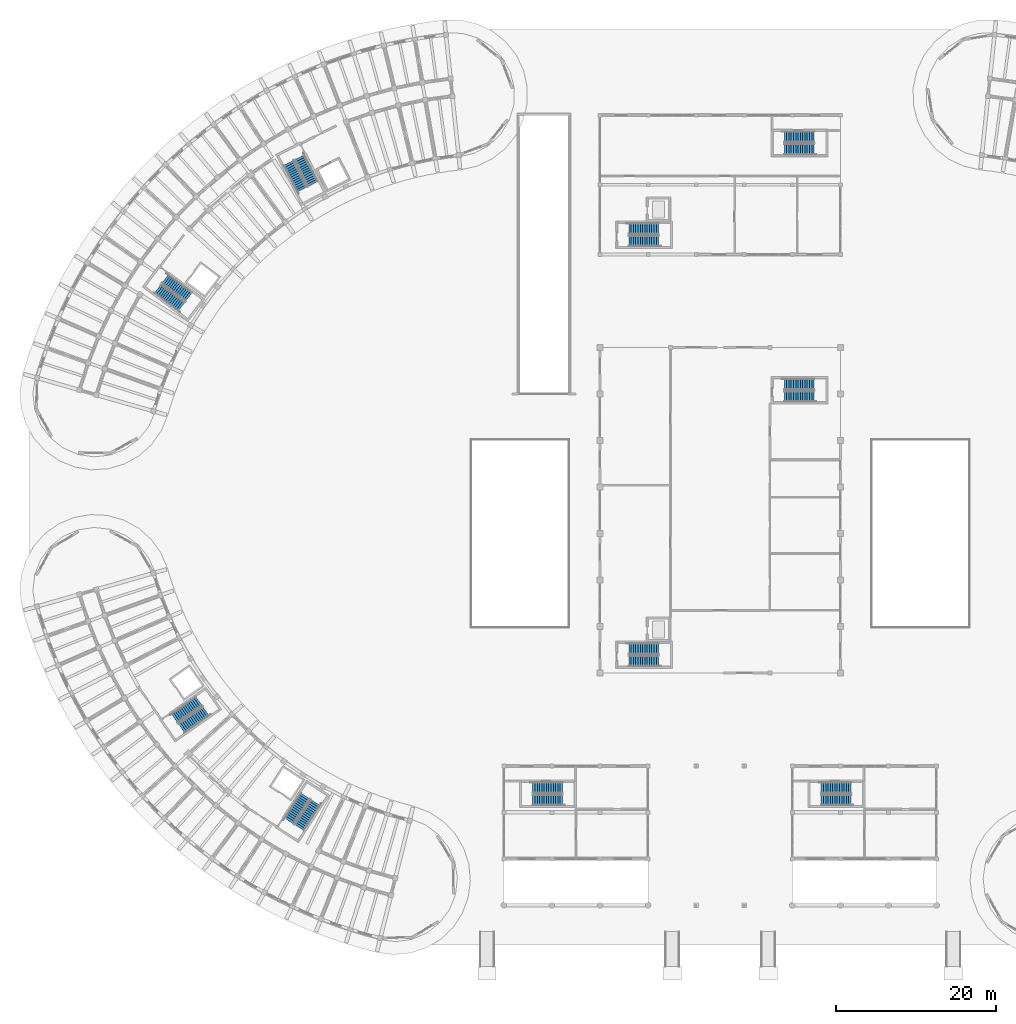
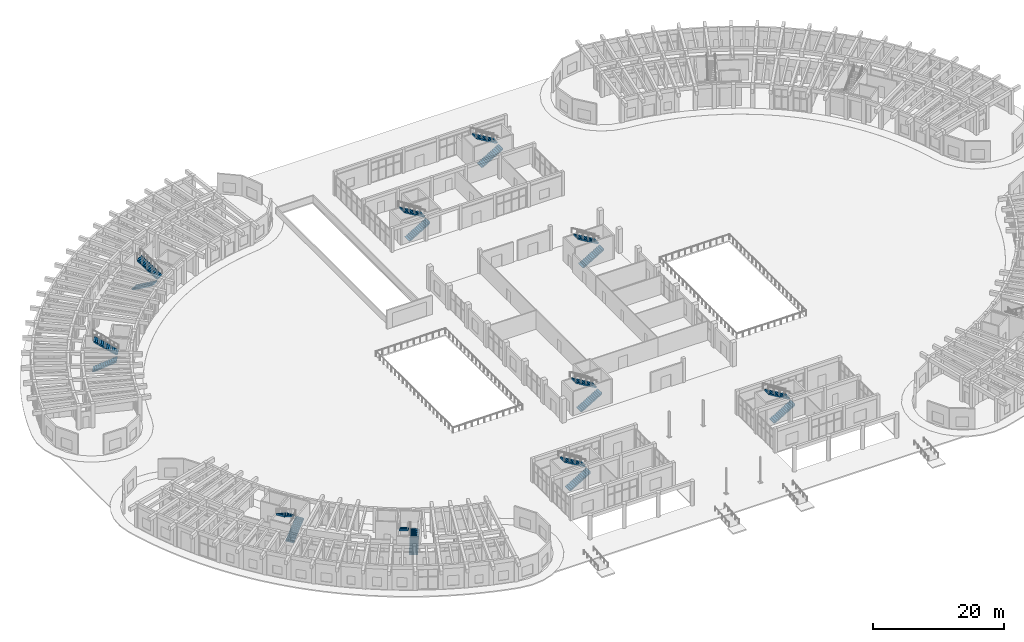
# One storey, part 109 of 132: 20 stair flights, 10 elements without a shape of their own.
"""IFC4 building model written with IfcOpenShell, lengths in metres."""

from ifc_helpers import new_model, si_unit, direction, frame, origin, place, context, subcontext, project, spatial, polyline, outline, extrude, material, layer, layer_set, type_object, element, aggregate, save


model = new_model("IFC4")

# Units and contexts
model_context = context("Model", 3, precision=1e-05, world=origin(), true_north=direction((0.0, 1.0)))
body_context = subcontext(model_context, "Body", "Model", "MODEL_VIEW")
ifc_project = project(units=[si_unit("LENGTHUNIT", "METRE"), si_unit("AREAUNIT", "SQUARE_METRE"), si_unit("VOLUMEUNIT", "CUBIC_METRE"), si_unit("PLANEANGLEUNIT", "RADIAN"), si_unit("MASSUNIT", "GRAM", prefix="KILO")], contexts=[model_context])

# Site, building, storey
site_placement = place(None, origin())
site = spatial("IfcSite", under=ifc_project, at=site_placement, CompositionType="ELEMENT")
building_placement = place(site_placement, origin())
building = spatial("IfcBuilding", under=site, at=building_placement, Name="Tanwirah Colonnade Gardens", CompositionType="ELEMENT")
storey_placement = place(building_placement, origin())
storey = spatial("IfcBuildingStorey", under=building, at=storey_placement, Name="L00", CompositionType="ELEMENT", Elevation=0.0)

# Stair, stair flights
ifc_material = material(Name="Precast concrete C40/50", Category="concrete")
stair_type_1 = type_object("IfcStairType", Name="ST-PAV170", PredefinedType="HALF_TURN_STAIR", material=ifc_material)
stair_1_placement = place(storey_placement, origin())
stair_1 = element("IfcStair", 1, at=stair_1_placement, inside=storey, type_object=stair_type_1, Name="L00 Community Hall SW Exit Stair", PredefinedType="HALF_TURN_STAIR")
ifc_layer_1 = layer(ifc_material, 0.159912109375)
ifc_layer_set_1 = layer_set([ifc_layer_1], Name="Precast concrete C40/50")
stair_flight_type_1 = type_object("IfcStairFlightType", Name="FLT-PAV160", PredefinedType="STRAIGHT", material=ifc_layer_set_1)
stair_flight_1_placement = place(storey_placement, frame((81.60009765625, 41.2900390625, 0.0), z_axis=(0.0, 0.0, 1.0), x_axis=(1.0, 0.0, 0.0)))
stair_flight_1 = element("IfcStairFlight", 2, at=stair_flight_1_placement, type_object=stair_flight_type_1, Name="ST-H1 flight 1", NumberOfRisers=14, NumberOfTreads=13, PredefinedType="STRAIGHT", RiserHeight=0.17, TreadLength=0.285, context=body_context, shape_type="SweptSolid", body=[
    extrude(outline(polyline([(-0.0048828125, 0.0), (0.0, 0.169921875), (0.284912109375, 0.169921875), (0.284912109375, 0.340087890625), (0.570068359375, 0.340087890625), (0.570068359375, 0.510009765625), (0.85498046875, 0.510009765625), (0.85498046875, 0.679931640625), (1.139892578125, 0.679931640625), (1.139892578125, 0.85009765625), (1.425048828125, 0.85009765625), (1.425048828125, 1.02001953125), (1.7099609375, 1.02001953125), (1.7099609375, 1.18994140625), (1.9951171875, 1.18994140625), (1.9951171875, 1.360107421875), (2.280029296875, 1.360107421875), (2.280029296875, 1.530029296875), (2.56494140625, 1.530029296875), (2.56494140625, 1.699951171875), (2.85009765625, 1.699951171875), (2.85009765625, 1.8701171875), (3.135009765625, 1.8701171875), (3.135009765625, 2.0400390625), (3.419921875, 2.0400390625), (3.419921875, 2.2099609375), (3.705078125, 2.2099609375), (3.7099609375, 2.3798828125), (3.7099609375, 2.023681640625), (0.317138671875, 0.0), (-0.0048828125, 0.0)])), frame((0.0, 0.68994140625, 0.0), z_axis=(0.0, -1.0, 0.0), x_axis=(1.0, 0.0, 0.0)), (0.0, 0.0, 1.0), 1.3798828125),
])
stair_flight_2_placement = place(storey_placement, frame((85.304931640625, 42.830078125, 2.3798828125), z_axis=(0.0, 0.0, 1.0), x_axis=(-1.0, 0.0, 0.0)))
stair_flight_2 = element("IfcStairFlight", 3, at=stair_flight_2_placement, type_object=stair_flight_type_1, Name="ST-H1 flight 2", NumberOfRisers=14, NumberOfTreads=13, PredefinedType="STRAIGHT", RiserHeight=0.17, TreadLength=0.285, context=body_context, shape_type="SweptSolid", body=[
    extrude(outline(polyline([(-0.0048828125, 0.0), (0.0, 0.169921875), (0.284912109375, 0.169921875), (0.284912109375, 0.340087890625), (0.570068359375, 0.340087890625), (0.570068359375, 0.510009765625), (0.85498046875, 0.510009765625), (0.85498046875, 0.679931640625), (1.139892578125, 0.679931640625), (1.139892578125, 0.85009765625), (1.425048828125, 0.85009765625), (1.425048828125, 1.02001953125), (1.7099609375, 1.02001953125), (1.7099609375, 1.18994140625), (1.9951171875, 1.18994140625), (1.9951171875, 1.360107421875), (2.280029296875, 1.360107421875), (2.280029296875, 1.530029296875), (2.56494140625, 1.530029296875), (2.56494140625, 1.699951171875), (2.85009765625, 1.699951171875), (2.85009765625, 1.8701171875), (3.135009765625, 1.8701171875), (3.135009765625, 2.0400390625), (3.419921875, 2.0400390625), (3.419921875, 2.2099609375), (3.705078125, 2.2099609375), (3.7099609375, 2.3798828125), (3.7099609375, 2.023681640625), (0.317138671875, 0.0), (-0.0048828125, 0.0)])), frame((0.0, 0.68994140625, 0.0), z_axis=(0.0, -1.0, 0.0), x_axis=(1.0, 0.0, 0.0)), (0.0, 0.0, 1.0), 1.3798828125),
])
aggregate(stair_1, [stair_flight_1, stair_flight_2])

stair_2_placement = place(storey_placement, origin())
stair_2 = element("IfcStair", 4, at=stair_2_placement, inside=storey, type_object=stair_type_1, Name="L00 Community Hall NE Exit Stair", PredefinedType="HALF_TURN_STAIR")
stair_flight_3_placement = place(storey_placement, frame((101.0, 74.2900390625, 0.0), z_axis=(0.0, 0.0, 1.0), x_axis=(1.0, 0.0, 0.0)))
stair_flight_3 = element("IfcStairFlight", 5, at=stair_flight_3_placement, type_object=stair_flight_type_1, Name="ST-H2 flight 1", NumberOfRisers=14, NumberOfTreads=13, PredefinedType="STRAIGHT", RiserHeight=0.17, TreadLength=0.285, context=body_context, shape_type="SweptSolid", body=[
    extrude(outline(polyline([(-0.0048828125, 0.0), (0.0, 0.169921875), (0.284912109375, 0.169921875), (0.284912109375, 0.340087890625), (0.570068359375, 0.340087890625), (0.570068359375, 0.510009765625), (0.85498046875, 0.510009765625), (0.85498046875, 0.679931640625), (1.139892578125, 0.679931640625), (1.139892578125, 0.85009765625), (1.425048828125, 0.85009765625), (1.425048828125, 1.02001953125), (1.7099609375, 1.02001953125), (1.7099609375, 1.18994140625), (1.9951171875, 1.18994140625), (1.9951171875, 1.360107421875), (2.280029296875, 1.360107421875), (2.280029296875, 1.530029296875), (2.56494140625, 1.530029296875), (2.56494140625, 1.699951171875), (2.85009765625, 1.699951171875), (2.85009765625, 1.8701171875), (3.135009765625, 1.8701171875), (3.135009765625, 2.0400390625), (3.419921875, 2.0400390625), (3.419921875, 2.2099609375), (3.705078125, 2.2099609375), (3.7099609375, 2.3798828125), (3.7099609375, 2.023681640625), (0.317138671875, 0.0), (-0.0048828125, 0.0)])), frame((0.0, 0.68994140625, 0.0), z_axis=(0.0, -1.0, 0.0), x_axis=(1.0, 0.0, 0.0)), (0.0, 0.0, 1.0), 1.3798828125),
])
stair_flight_4_placement = place(storey_placement, frame((104.705078125, 75.830078125, 2.3798828125), z_axis=(0.0, 0.0, 1.0), x_axis=(-1.0, 0.0, 0.0)))
stair_flight_4 = element("IfcStairFlight", 6, at=stair_flight_4_placement, type_object=stair_flight_type_1, Name="ST-H2 flight 2", NumberOfRisers=14, NumberOfTreads=13, PredefinedType="STRAIGHT", RiserHeight=0.17, TreadLength=0.285, context=body_context, shape_type="SweptSolid", body=[
    extrude(outline(polyline([(-0.0048828125, 0.0), (0.0, 0.169921875), (0.284912109375, 0.169921875), (0.284912109375, 0.340087890625), (0.570068359375, 0.340087890625), (0.570068359375, 0.510009765625), (0.85498046875, 0.510009765625), (0.85498046875, 0.679931640625), (1.139892578125, 0.679931640625), (1.139892578125, 0.85009765625), (1.425048828125, 0.85009765625), (1.425048828125, 1.02001953125), (1.7099609375, 1.02001953125), (1.7099609375, 1.18994140625), (1.9951171875, 1.18994140625), (1.9951171875, 1.360107421875), (2.280029296875, 1.360107421875), (2.280029296875, 1.530029296875), (2.56494140625, 1.530029296875), (2.56494140625, 1.699951171875), (2.85009765625, 1.699951171875), (2.85009765625, 1.8701171875), (3.135009765625, 1.8701171875), (3.135009765625, 2.0400390625), (3.419921875, 2.0400390625), (3.419921875, 2.2099609375), (3.705078125, 2.2099609375), (3.7099609375, 2.3798828125), (3.7099609375, 2.023681640625), (0.317138671875, 0.0), (-0.0048828125, 0.0)])), frame((0.0, 0.68994140625, 0.0), z_axis=(0.0, -1.0, 0.0), x_axis=(1.0, 0.0, 0.0)), (0.0, 0.0, 1.0), 1.3798828125),
])
aggregate(stair_2, [stair_flight_3, stair_flight_4])

stair_3_placement = place(storey_placement, origin())
stair_3 = element("IfcStair", 7, at=stair_3_placement, inside=storey, type_object=stair_type_1, Name="L00 Nursery Pavilion West Exit Stair", PredefinedType="HALF_TURN_STAIR")
stair_flight_5_placement = place(storey_placement, frame((81.60009765625, 93.68994140625, 0.0), z_axis=(0.0, 0.0, 1.0), x_axis=(1.0, 0.0, 0.0)))
stair_flight_5 = element("IfcStairFlight", 8, at=stair_flight_5_placement, type_object=stair_flight_type_1, Name="ST-N1 flight 1", NumberOfRisers=14, NumberOfTreads=13, PredefinedType="STRAIGHT", RiserHeight=0.17, TreadLength=0.285, context=body_context, shape_type="SweptSolid", body=[
    extrude(outline(polyline([(-0.0048828125, 0.0), (0.0, 0.169921875), (0.284912109375, 0.169921875), (0.284912109375, 0.340087890625), (0.570068359375, 0.340087890625), (0.570068359375, 0.510009765625), (0.85498046875, 0.510009765625), (0.85498046875, 0.679931640625), (1.139892578125, 0.679931640625), (1.139892578125, 0.85009765625), (1.425048828125, 0.85009765625), (1.425048828125, 1.02001953125), (1.7099609375, 1.02001953125), (1.7099609375, 1.18994140625), (1.9951171875, 1.18994140625), (1.9951171875, 1.360107421875), (2.280029296875, 1.360107421875), (2.280029296875, 1.530029296875), (2.56494140625, 1.530029296875), (2.56494140625, 1.699951171875), (2.85009765625, 1.699951171875), (2.85009765625, 1.8701171875), (3.135009765625, 1.8701171875), (3.135009765625, 2.0400390625), (3.419921875, 2.0400390625), (3.419921875, 2.2099609375), (3.705078125, 2.2099609375), (3.7099609375, 2.3798828125), (3.7099609375, 2.023681640625), (0.317138671875, 0.0), (-0.0048828125, 0.0)])), frame((0.0, 0.68994140625, 0.0), z_axis=(0.0, -1.0, 0.0), x_axis=(1.0, 0.0, 0.0)), (0.0, 0.0, 1.0), 1.3798828125),
])
stair_flight_6_placement = place(storey_placement, frame((85.304931640625, 95.22998046875, 2.3798828125), z_axis=(0.0, 0.0, 1.0), x_axis=(-1.0, 0.0, 0.0)))
stair_flight_6 = element("IfcStairFlight", 9, at=stair_flight_6_placement, type_object=stair_flight_type_1, Name="ST-N1 flight 2", NumberOfRisers=14, NumberOfTreads=13, PredefinedType="STRAIGHT", RiserHeight=0.17, TreadLength=0.285, context=body_context, shape_type="SweptSolid", body=[
    extrude(outline(polyline([(-0.0048828125, 0.0), (0.0, 0.169921875), (0.284912109375, 0.169921875), (0.284912109375, 0.340087890625), (0.570068359375, 0.340087890625), (0.570068359375, 0.510009765625), (0.85498046875, 0.510009765625), (0.85498046875, 0.679931640625), (1.139892578125, 0.679931640625), (1.139892578125, 0.85009765625), (1.425048828125, 0.85009765625), (1.425048828125, 1.02001953125), (1.7099609375, 1.02001953125), (1.7099609375, 1.18994140625), (1.9951171875, 1.18994140625), (1.9951171875, 1.360107421875), (2.280029296875, 1.360107421875), (2.280029296875, 1.530029296875), (2.56494140625, 1.530029296875), (2.56494140625, 1.699951171875), (2.85009765625, 1.699951171875), (2.85009765625, 1.8701171875), (3.135009765625, 1.8701171875), (3.135009765625, 2.0400390625), (3.419921875, 2.0400390625), (3.419921875, 2.2099609375), (3.705078125, 2.2099609375), (3.7099609375, 2.3798828125), (3.7099609375, 2.023681640625), (0.317138671875, 0.0), (-0.0048828125, 0.0)])), frame((0.0, 0.68994140625, 0.0), z_axis=(0.0, -1.0, 0.0), x_axis=(1.0, 0.0, 0.0)), (0.0, 0.0, 1.0), 1.3798828125),
])
aggregate(stair_3, [stair_flight_5, stair_flight_6])

stair_4_placement = place(storey_placement, origin())
stair_4 = element("IfcStair", 10, at=stair_4_placement, inside=storey, type_object=stair_type_1, Name="L00 Nursery Pavilion East Exit Stair", PredefinedType="HALF_TURN_STAIR")
stair_flight_7_placement = place(storey_placement, frame((101.0, 105.139892578125, 0.0), z_axis=(0.0, 0.0, 1.0), x_axis=(1.0, 0.0, 0.0)))
stair_flight_7 = element("IfcStairFlight", 11, at=stair_flight_7_placement, type_object=stair_flight_type_1, Name="ST-N2 flight 1", NumberOfRisers=14, NumberOfTreads=13, PredefinedType="STRAIGHT", RiserHeight=0.17, TreadLength=0.285, context=body_context, shape_type="SweptSolid", body=[
    extrude(outline(polyline([(-0.0048828125, 0.0), (0.0, 0.169921875), (0.284912109375, 0.169921875), (0.284912109375, 0.340087890625), (0.570068359375, 0.340087890625), (0.570068359375, 0.510009765625), (0.85498046875, 0.510009765625), (0.85498046875, 0.679931640625), (1.139892578125, 0.679931640625), (1.139892578125, 0.85009765625), (1.425048828125, 0.85009765625), (1.425048828125, 1.02001953125), (1.7099609375, 1.02001953125), (1.7099609375, 1.18994140625), (1.9951171875, 1.18994140625), (1.9951171875, 1.360107421875), (2.280029296875, 1.360107421875), (2.280029296875, 1.530029296875), (2.56494140625, 1.530029296875), (2.56494140625, 1.699951171875), (2.85009765625, 1.699951171875), (2.85009765625, 1.8701171875), (3.135009765625, 1.8701171875), (3.135009765625, 2.0400390625), (3.419921875, 2.0400390625), (3.419921875, 2.2099609375), (3.705078125, 2.2099609375), (3.7099609375, 2.3798828125), (3.7099609375, 2.023681640625), (0.317138671875, 0.0), (-0.0048828125, 0.0)])), frame((0.0, 0.68994140625, 0.0), z_axis=(0.0, -1.0, 0.0), x_axis=(1.0, 0.0, 0.0)), (0.0, 0.0, 1.0), 1.3798828125),
])
stair_flight_8_placement = place(storey_placement, frame((104.705078125, 106.679931640625, 2.3798828125), z_axis=(0.0, 0.0, 1.0), x_axis=(-1.0, 0.0, 0.0)))
stair_flight_8 = element("IfcStairFlight", 12, at=stair_flight_8_placement, type_object=stair_flight_type_1, Name="ST-N2 flight 2", NumberOfRisers=14, NumberOfTreads=13, PredefinedType="STRAIGHT", RiserHeight=0.17, TreadLength=0.285, context=body_context, shape_type="SweptSolid", body=[
    extrude(outline(polyline([(-0.0048828125, 0.0), (0.0, 0.169921875), (0.284912109375, 0.169921875), (0.284912109375, 0.340087890625), (0.570068359375, 0.340087890625), (0.570068359375, 0.510009765625), (0.85498046875, 0.510009765625), (0.85498046875, 0.679931640625), (1.139892578125, 0.679931640625), (1.139892578125, 0.85009765625), (1.425048828125, 0.85009765625), (1.425048828125, 1.02001953125), (1.7099609375, 1.02001953125), (1.7099609375, 1.18994140625), (1.9951171875, 1.18994140625), (1.9951171875, 1.360107421875), (2.280029296875, 1.360107421875), (2.280029296875, 1.530029296875), (2.56494140625, 1.530029296875), (2.56494140625, 1.699951171875), (2.85009765625, 1.699951171875), (2.85009765625, 1.8701171875), (3.135009765625, 1.8701171875), (3.135009765625, 2.0400390625), (3.419921875, 2.0400390625), (3.419921875, 2.2099609375), (3.705078125, 2.2099609375), (3.7099609375, 2.3798828125), (3.7099609375, 2.023681640625), (0.317138671875, 0.0), (-0.0048828125, 0.0)])), frame((0.0, 0.68994140625, 0.0), z_axis=(0.0, -1.0, 0.0), x_axis=(1.0, 0.0, 0.0)), (0.0, 0.0, 1.0), 1.3798828125),
])
aggregate(stair_4, [stair_flight_7, stair_flight_8])

stair_5_placement = place(storey_placement, origin())
stair_5 = element("IfcStair", 13, at=stair_5_placement, inside=storey, type_object=stair_type_1, Name="L00 West Boulevard Shops Exit Stair", PredefinedType="HALF_TURN_STAIR")
stair_flight_9_placement = place(storey_placement, frame((69.60009765625, 23.93994140625, 0.0), z_axis=(0.0, 0.0, 1.0), x_axis=(1.0, 0.0, 0.0)))
stair_flight_9 = element("IfcStairFlight", 14, at=stair_flight_9_placement, type_object=stair_flight_type_1, Name="ST-SW flight 1", NumberOfRisers=14, NumberOfTreads=13, PredefinedType="STRAIGHT", RiserHeight=0.17, TreadLength=0.285, context=body_context, shape_type="SweptSolid", body=[
    extrude(outline(polyline([(-0.0048828125, 0.0), (0.0, 0.169921875), (0.284912109375, 0.169921875), (0.284912109375, 0.340087890625), (0.570068359375, 0.340087890625), (0.570068359375, 0.510009765625), (0.85498046875, 0.510009765625), (0.85498046875, 0.679931640625), (1.139892578125, 0.679931640625), (1.139892578125, 0.85009765625), (1.425048828125, 0.85009765625), (1.425048828125, 1.02001953125), (1.7099609375, 1.02001953125), (1.7099609375, 1.18994140625), (1.9951171875, 1.18994140625), (1.9951171875, 1.360107421875), (2.280029296875, 1.360107421875), (2.280029296875, 1.530029296875), (2.56494140625, 1.530029296875), (2.56494140625, 1.699951171875), (2.85009765625, 1.699951171875), (2.85009765625, 1.8701171875), (3.135009765625, 1.8701171875), (3.135009765625, 2.0400390625), (3.419921875, 2.0400390625), (3.419921875, 2.2099609375), (3.705078125, 2.2099609375), (3.7099609375, 2.3798828125), (3.7099609375, 2.023681640625), (0.317138671875, 0.0), (-0.0048828125, 0.0)])), frame((0.0, 0.68994140625, 0.0), z_axis=(0.0, -1.0, 0.0), x_axis=(1.0, 0.0, 0.0)), (0.0, 0.0, 1.0), 1.3798828125),
])
stair_flight_10_placement = place(storey_placement, frame((73.304931640625, 25.47998046875, 2.3798828125), z_axis=(0.0, 0.0, 1.0), x_axis=(-1.0, 0.0, 0.0)))
stair_flight_10 = element("IfcStairFlight", 15, at=stair_flight_10_placement, type_object=stair_flight_type_1, Name="ST-SW flight 2", NumberOfRisers=14, NumberOfTreads=13, PredefinedType="STRAIGHT", RiserHeight=0.17, TreadLength=0.285, context=body_context, shape_type="SweptSolid", body=[
    extrude(outline(polyline([(-0.0048828125, 0.0), (0.0, 0.169921875), (0.284912109375, 0.169921875), (0.284912109375, 0.340087890625), (0.570068359375, 0.340087890625), (0.570068359375, 0.510009765625), (0.85498046875, 0.510009765625), (0.85498046875, 0.679931640625), (1.139892578125, 0.679931640625), (1.139892578125, 0.85009765625), (1.425048828125, 0.85009765625), (1.425048828125, 1.02001953125), (1.7099609375, 1.02001953125), (1.7099609375, 1.18994140625), (1.9951171875, 1.18994140625), (1.9951171875, 1.360107421875), (2.280029296875, 1.360107421875), (2.280029296875, 1.530029296875), (2.56494140625, 1.530029296875), (2.56494140625, 1.699951171875), (2.85009765625, 1.699951171875), (2.85009765625, 1.8701171875), (3.135009765625, 1.8701171875), (3.135009765625, 2.0400390625), (3.419921875, 2.0400390625), (3.419921875, 2.2099609375), (3.705078125, 2.2099609375), (3.7099609375, 2.3798828125), (3.7099609375, 2.023681640625), (0.317138671875, 0.0), (-0.0048828125, 0.0)])), frame((0.0, 0.68994140625, 0.0), z_axis=(0.0, -1.0, 0.0), x_axis=(1.0, 0.0, 0.0)), (0.0, 0.0, 1.0), 1.3798828125),
])
aggregate(stair_5, [stair_flight_9, stair_flight_10])

stair_6_placement = place(storey_placement, origin())
stair_6 = element("IfcStair", 16, at=stair_6_placement, inside=storey, type_object=stair_type_1, Name="L00 East Boulevard Shops Exit Stair", PredefinedType="HALF_TURN_STAIR")
stair_flight_11_placement = place(storey_placement, frame((105.60009765625, 23.93994140625, 0.0), z_axis=(0.0, 0.0, 1.0), x_axis=(1.0, 0.0, 0.0)))
stair_flight_11 = element("IfcStairFlight", 17, at=stair_flight_11_placement, type_object=stair_flight_type_1, Name="ST-SE flight 1", NumberOfRisers=14, NumberOfTreads=13, PredefinedType="STRAIGHT", RiserHeight=0.17, TreadLength=0.285, context=body_context, shape_type="SweptSolid", body=[
    extrude(outline(polyline([(-0.0048828125, 0.0), (0.0, 0.169921875), (0.284912109375, 0.169921875), (0.284912109375, 0.340087890625), (0.570068359375, 0.340087890625), (0.570068359375, 0.510009765625), (0.85498046875, 0.510009765625), (0.85498046875, 0.679931640625), (1.139892578125, 0.679931640625), (1.139892578125, 0.85009765625), (1.425048828125, 0.85009765625), (1.425048828125, 1.02001953125), (1.7099609375, 1.02001953125), (1.7099609375, 1.18994140625), (1.9951171875, 1.18994140625), (1.9951171875, 1.360107421875), (2.280029296875, 1.360107421875), (2.280029296875, 1.530029296875), (2.56494140625, 1.530029296875), (2.56494140625, 1.699951171875), (2.85009765625, 1.699951171875), (2.85009765625, 1.8701171875), (3.135009765625, 1.8701171875), (3.135009765625, 2.0400390625), (3.419921875, 2.0400390625), (3.419921875, 2.2099609375), (3.705078125, 2.2099609375), (3.7099609375, 2.3798828125), (3.7099609375, 2.023681640625), (0.317138671875, 0.0), (-0.0048828125, 0.0)])), frame((0.0, 0.68994140625, 0.0), z_axis=(0.0, -1.0, 0.0), x_axis=(1.0, 0.0, 0.0)), (0.0, 0.0, 1.0), 1.3798828125),
])
stair_flight_12_placement = place(storey_placement, frame((109.304931640625, 25.47998046875, 2.3798828125), z_axis=(0.0, 0.0, 1.0), x_axis=(-1.0, 0.0, 0.0)))
stair_flight_12 = element("IfcStairFlight", 18, at=stair_flight_12_placement, type_object=stair_flight_type_1, Name="ST-SE flight 2", NumberOfRisers=14, NumberOfTreads=13, PredefinedType="STRAIGHT", RiserHeight=0.17, TreadLength=0.285, context=body_context, shape_type="SweptSolid", body=[
    extrude(outline(polyline([(-0.0048828125, 0.0), (0.0, 0.169921875), (0.284912109375, 0.169921875), (0.284912109375, 0.340087890625), (0.570068359375, 0.340087890625), (0.570068359375, 0.510009765625), (0.85498046875, 0.510009765625), (0.85498046875, 0.679931640625), (1.139892578125, 0.679931640625), (1.139892578125, 0.85009765625), (1.425048828125, 0.85009765625), (1.425048828125, 1.02001953125), (1.7099609375, 1.02001953125), (1.7099609375, 1.18994140625), (1.9951171875, 1.18994140625), (1.9951171875, 1.360107421875), (2.280029296875, 1.360107421875), (2.280029296875, 1.530029296875), (2.56494140625, 1.530029296875), (2.56494140625, 1.699951171875), (2.85009765625, 1.699951171875), (2.85009765625, 1.8701171875), (3.135009765625, 1.8701171875), (3.135009765625, 2.0400390625), (3.419921875, 2.0400390625), (3.419921875, 2.2099609375), (3.705078125, 2.2099609375), (3.7099609375, 2.3798828125), (3.7099609375, 2.023681640625), (0.317138671875, 0.0), (-0.0048828125, 0.0)])), frame((0.0, 0.68994140625, 0.0), z_axis=(0.0, -1.0, 0.0), x_axis=(1.0, 0.0, 0.0)), (0.0, 0.0, 1.0), 1.3798828125),
])
aggregate(stair_6, [stair_flight_11, stair_flight_12])

stair_type_2 = type_object("IfcStairType", Name="ST-RES170", PredefinedType="HALF_TURN_STAIR", material=ifc_material)
stair_7_placement = place(storey_placement, origin())
stair_7 = element("IfcStair", 19, at=stair_7_placement, inside=storey, type_object=stair_type_2, Name="L00 Block A Core 1 Exit Stair", PredefinedType="HALF_TURN_STAIR")
ifc_layer_2 = layer(ifc_material, 0.1650390625)
ifc_layer_set_2 = layer_set([ifc_layer_2], Name="Precast concrete C40/50")
stair_flight_type_2 = type_object("IfcStairFlightType", Name="FLT-RES165", PredefinedType="STRAIGHT", material=ifc_layer_set_2)
stair_flight_13_placement = place(storey_placement, frame((39.148681640625, 103.425048828125, 0.0), z_axis=(0.0, 0.0, 1.0), x_axis=(0.45399049974, -0.891006524188, 0.0)))
stair_flight_13 = element("IfcStairFlight", 20, at=stair_flight_13_placement, type_object=stair_flight_type_2, Name="ST-A1 flight 1", NumberOfRisers=14, NumberOfTreads=13, PredefinedType="STRAIGHT", RiserHeight=0.17, TreadLength=0.285, context=body_context, shape_type="SweptSolid", body=[
    extrude(outline(polyline([(-0.0048828125, 0.0), (0.0, 0.169921875), (0.284912109375, 0.169921875), (0.284912109375, 0.340087890625), (0.570068359375, 0.340087890625), (0.570068359375, 0.510009765625), (0.85498046875, 0.510009765625), (0.85498046875, 0.679931640625), (1.139892578125, 0.679931640625), (1.139892578125, 0.85009765625), (1.425048828125, 0.85009765625), (1.425048828125, 1.02001953125), (1.7099609375, 1.02001953125), (1.7099609375, 1.18994140625), (1.9951171875, 1.18994140625), (1.9951171875, 1.360107421875), (2.280029296875, 1.360107421875), (2.280029296875, 1.530029296875), (2.56494140625, 1.530029296875), (2.56494140625, 1.699951171875), (2.85009765625, 1.699951171875), (2.85009765625, 1.8701171875), (3.135009765625, 1.8701171875), (3.135009765625, 2.0400390625), (3.419921875, 2.0400390625), (3.419921875, 2.2099609375), (3.705078125, 2.2099609375), (3.7099609375, 2.3798828125), (3.7099609375, 2.017822265625), (0.3271484375, 0.0), (-0.0048828125, 0.0)])), frame((0.0, 0.68994140625, 0.0), z_axis=(0.0, -1.0, 0.0), x_axis=(1.0, 0.0, 0.0)), (0.0, 0.0, 1.0), 1.3798828125),
])
stair_flight_14_placement = place(storey_placement, frame((42.202880859375, 100.822998046875, 2.3798828125), z_axis=(0.0, 0.0, 1.0), x_axis=(-0.45399049974, 0.891006524188, 0.0)))
stair_flight_14 = element("IfcStairFlight", 21, at=stair_flight_14_placement, type_object=stair_flight_type_2, Name="ST-A1 flight 2", NumberOfRisers=14, NumberOfTreads=13, PredefinedType="STRAIGHT", RiserHeight=0.17, TreadLength=0.285, context=body_context, shape_type="SweptSolid", body=[
    extrude(outline(polyline([(-0.0048828125, 0.0), (0.0, 0.169921875), (0.284912109375, 0.169921875), (0.284912109375, 0.340087890625), (0.570068359375, 0.340087890625), (0.570068359375, 0.510009765625), (0.85498046875, 0.510009765625), (0.85498046875, 0.679931640625), (1.139892578125, 0.679931640625), (1.139892578125, 0.85009765625), (1.425048828125, 0.85009765625), (1.425048828125, 1.02001953125), (1.7099609375, 1.02001953125), (1.7099609375, 1.18994140625), (1.9951171875, 1.18994140625), (1.9951171875, 1.360107421875), (2.280029296875, 1.360107421875), (2.280029296875, 1.530029296875), (2.56494140625, 1.530029296875), (2.56494140625, 1.699951171875), (2.85009765625, 1.699951171875), (2.85009765625, 1.8701171875), (3.135009765625, 1.8701171875), (3.135009765625, 2.0400390625), (3.419921875, 2.0400390625), (3.419921875, 2.2099609375), (3.705078125, 2.2099609375), (3.7099609375, 2.3798828125), (3.7099609375, 2.017822265625), (0.3271484375, 0.0), (-0.0048828125, 0.0)])), frame((0.0, 0.68994140625, 0.0), z_axis=(0.0, -1.0, 0.0), x_axis=(1.0, 0.0, 0.0)), (0.0, 0.0, 1.0), 1.3798828125),
])
aggregate(stair_7, [stair_flight_13, stair_flight_14])

stair_8_placement = place(storey_placement, origin())
stair_8 = element("IfcStair", 22, at=stair_8_placement, inside=storey, type_object=stair_type_2, Name="L00 Block A Core 2 Exit Stair", PredefinedType="HALF_TURN_STAIR")
stair_flight_15_placement = place(storey_placement, frame((22.81640625, 87.7177734375, 0.0), z_axis=(0.0, 0.0, 1.0), x_axis=(0.798635510047, -0.601815023152, 0.0)))
stair_flight_15 = element("IfcStairFlight", 23, at=stair_flight_15_placement, type_object=stair_flight_type_2, Name="ST-A2 flight 1", NumberOfRisers=14, NumberOfTreads=13, PredefinedType="STRAIGHT", RiserHeight=0.17, TreadLength=0.285, context=body_context, shape_type="SweptSolid", body=[
    extrude(outline(polyline([(-0.0048828125, 0.0), (0.0, 0.169921875), (0.284912109375, 0.169921875), (0.284912109375, 0.340087890625), (0.570068359375, 0.340087890625), (0.570068359375, 0.510009765625), (0.85498046875, 0.510009765625), (0.85498046875, 0.679931640625), (1.139892578125, 0.679931640625), (1.139892578125, 0.85009765625), (1.425048828125, 0.85009765625), (1.425048828125, 1.02001953125), (1.7099609375, 1.02001953125), (1.7099609375, 1.18994140625), (1.9951171875, 1.18994140625), (1.9951171875, 1.360107421875), (2.280029296875, 1.360107421875), (2.280029296875, 1.530029296875), (2.56494140625, 1.530029296875), (2.56494140625, 1.699951171875), (2.85009765625, 1.699951171875), (2.85009765625, 1.8701171875), (3.135009765625, 1.8701171875), (3.135009765625, 2.0400390625), (3.419921875, 2.0400390625), (3.419921875, 2.2099609375), (3.705078125, 2.2099609375), (3.7099609375, 2.3798828125), (3.7099609375, 2.017822265625), (0.3271484375, 0.0), (-0.0048828125, 0.0)])), frame((0.0, 0.68994140625, 0.0), z_axis=(0.0, -1.0, 0.0), x_axis=(1.0, 0.0, 0.0)), (0.0, 0.0, 1.0), 1.3798828125),
])
stair_flight_16_placement = place(storey_placement, frame((26.7021484375, 86.718017578125, 2.3798828125), z_axis=(0.0, 0.0, 1.0), x_axis=(-0.798635510047, 0.601815023152, 0.0)))
stair_flight_16 = element("IfcStairFlight", 24, at=stair_flight_16_placement, type_object=stair_flight_type_2, Name="ST-A2 flight 2", NumberOfRisers=14, NumberOfTreads=13, PredefinedType="STRAIGHT", RiserHeight=0.17, TreadLength=0.285, context=body_context, shape_type="SweptSolid", body=[
    extrude(outline(polyline([(-0.0048828125, 0.0), (0.0, 0.169921875), (0.284912109375, 0.169921875), (0.284912109375, 0.340087890625), (0.570068359375, 0.340087890625), (0.570068359375, 0.510009765625), (0.85498046875, 0.510009765625), (0.85498046875, 0.679931640625), (1.139892578125, 0.679931640625), (1.139892578125, 0.85009765625), (1.425048828125, 0.85009765625), (1.425048828125, 1.02001953125), (1.7099609375, 1.02001953125), (1.7099609375, 1.18994140625), (1.9951171875, 1.18994140625), (1.9951171875, 1.360107421875), (2.280029296875, 1.360107421875), (2.280029296875, 1.530029296875), (2.56494140625, 1.530029296875), (2.56494140625, 1.699951171875), (2.85009765625, 1.699951171875), (2.85009765625, 1.8701171875), (3.135009765625, 1.8701171875), (3.135009765625, 2.0400390625), (3.419921875, 2.0400390625), (3.419921875, 2.2099609375), (3.705078125, 2.2099609375), (3.7099609375, 2.3798828125), (3.7099609375, 2.017822265625), (0.3271484375, 0.0), (-0.0048828125, 0.0)])), frame((0.0, 0.68994140625, 0.0), z_axis=(0.0, -1.0, 0.0), x_axis=(1.0, 0.0, 0.0)), (0.0, 0.0, 1.0), 1.3798828125),
])
aggregate(stair_8, [stair_flight_15, stair_flight_16])

stair_9_placement = place(storey_placement, origin())
stair_9 = element("IfcStair", 25, at=stair_9_placement, inside=storey, type_object=stair_type_2, Name="L00 Block C Core 1 Exit Stair", PredefinedType="HALF_TURN_STAIR")
stair_flight_17_placement = place(storey_placement, frame((25.79345703125, 32.884521484375, 0.0), z_axis=(0.0, 0.0, 1.0), x_axis=(0.819152044289, 0.573576436351, 0.0)))
stair_flight_17 = element("IfcStairFlight", 26, at=stair_flight_17_placement, type_object=stair_flight_type_2, Name="ST-C1 flight 1", NumberOfRisers=14, NumberOfTreads=13, PredefinedType="STRAIGHT", RiserHeight=0.17, TreadLength=0.285, context=body_context, shape_type="SweptSolid", body=[
    extrude(outline(polyline([(-0.0048828125, 0.0), (0.0, 0.169921875), (0.284912109375, 0.169921875), (0.284912109375, 0.340087890625), (0.570068359375, 0.340087890625), (0.570068359375, 0.510009765625), (0.85498046875, 0.510009765625), (0.85498046875, 0.679931640625), (1.139892578125, 0.679931640625), (1.139892578125, 0.85009765625), (1.425048828125, 0.85009765625), (1.425048828125, 1.02001953125), (1.7099609375, 1.02001953125), (1.7099609375, 1.18994140625), (1.9951171875, 1.18994140625), (1.9951171875, 1.360107421875), (2.280029296875, 1.360107421875), (2.280029296875, 1.530029296875), (2.56494140625, 1.530029296875), (2.56494140625, 1.699951171875), (2.85009765625, 1.699951171875), (2.85009765625, 1.8701171875), (3.135009765625, 1.8701171875), (3.135009765625, 2.0400390625), (3.419921875, 2.0400390625), (3.419921875, 2.2099609375), (3.705078125, 2.2099609375), (3.7099609375, 2.3798828125), (3.7099609375, 2.017822265625), (0.3271484375, 0.0), (-0.0048828125, 0.0)])), frame((0.0, 0.68994140625, 0.0), z_axis=(0.0, -1.0, 0.0), x_axis=(1.0, 0.0, 0.0)), (0.0, 0.0, 1.0), 1.3798828125),
])
stair_flight_18_placement = place(storey_placement, frame((27.945068359375, 36.27099609375, 2.3798828125), z_axis=(0.0, 0.0, 1.0), x_axis=(-0.819152044289, -0.573576436351, 0.0)))
stair_flight_18 = element("IfcStairFlight", 27, at=stair_flight_18_placement, type_object=stair_flight_type_2, Name="ST-C1 flight 2", NumberOfRisers=14, NumberOfTreads=13, PredefinedType="STRAIGHT", RiserHeight=0.17, TreadLength=0.285, context=body_context, shape_type="SweptSolid", body=[
    extrude(outline(polyline([(-0.0048828125, 0.0), (0.0, 0.169921875), (0.284912109375, 0.169921875), (0.284912109375, 0.340087890625), (0.570068359375, 0.340087890625), (0.570068359375, 0.510009765625), (0.85498046875, 0.510009765625), (0.85498046875, 0.679931640625), (1.139892578125, 0.679931640625), (1.139892578125, 0.85009765625), (1.425048828125, 0.85009765625), (1.425048828125, 1.02001953125), (1.7099609375, 1.02001953125), (1.7099609375, 1.18994140625), (1.9951171875, 1.18994140625), (1.9951171875, 1.360107421875), (2.280029296875, 1.360107421875), (2.280029296875, 1.530029296875), (2.56494140625, 1.530029296875), (2.56494140625, 1.699951171875), (2.85009765625, 1.699951171875), (2.85009765625, 1.8701171875), (3.135009765625, 1.8701171875), (3.135009765625, 2.0400390625), (3.419921875, 2.0400390625), (3.419921875, 2.2099609375), (3.705078125, 2.2099609375), (3.7099609375, 2.3798828125), (3.7099609375, 2.017822265625), (0.3271484375, 0.0), (-0.0048828125, 0.0)])), frame((0.0, 0.68994140625, 0.0), z_axis=(0.0, -1.0, 0.0), x_axis=(1.0, 0.0, 0.0)), (0.0, 0.0, 1.0), 1.3798828125),
])
aggregate(stair_9, [stair_flight_17, stair_flight_18])

stair_10_placement = place(storey_placement, origin())
stair_10 = element("IfcStair", 28, at=stair_10_placement, inside=storey, type_object=stair_type_2, Name="L00 Block C Core 2 Exit Stair", PredefinedType="HALF_TURN_STAIR")
stair_flight_19_placement = place(storey_placement, frame((40.49169921875, 20.49951171875, 0.0), z_axis=(0.0, 0.0, 1.0), x_axis=(0.544639035015, 0.838670567945, 0.0)))
stair_flight_19 = element("IfcStairFlight", 29, at=stair_flight_19_placement, type_object=stair_flight_type_2, Name="ST-C2 flight 1", NumberOfRisers=14, NumberOfTreads=13, PredefinedType="STRAIGHT", RiserHeight=0.17, TreadLength=0.285, context=body_context, shape_type="SweptSolid", body=[
    extrude(outline(polyline([(-0.0048828125, 0.0), (0.0, 0.169921875), (0.284912109375, 0.169921875), (0.284912109375, 0.340087890625), (0.570068359375, 0.340087890625), (0.570068359375, 0.510009765625), (0.85498046875, 0.510009765625), (0.85498046875, 0.679931640625), (1.139892578125, 0.679931640625), (1.139892578125, 0.85009765625), (1.425048828125, 0.85009765625), (1.425048828125, 1.02001953125), (1.7099609375, 1.02001953125), (1.7099609375, 1.18994140625), (1.9951171875, 1.18994140625), (1.9951171875, 1.360107421875), (2.280029296875, 1.360107421875), (2.280029296875, 1.530029296875), (2.56494140625, 1.530029296875), (2.56494140625, 1.699951171875), (2.85009765625, 1.699951171875), (2.85009765625, 1.8701171875), (3.135009765625, 1.8701171875), (3.135009765625, 2.0400390625), (3.419921875, 2.0400390625), (3.419921875, 2.2099609375), (3.705078125, 2.2099609375), (3.7099609375, 2.3798828125), (3.7099609375, 2.017822265625), (0.3271484375, 0.0), (-0.0048828125, 0.0)])), frame((0.0, 0.68994140625, 0.0), z_axis=(0.0, -1.0, 0.0), x_axis=(1.0, 0.0, 0.0)), (0.0, 0.0, 1.0), 1.3798828125),
])
stair_flight_20_placement = place(storey_placement, frame((41.218017578125, 24.445556640625, 2.3798828125), z_axis=(0.0, 0.0, 1.0), x_axis=(-0.544639035015, -0.838670567945, 0.0)))
stair_flight_20 = element("IfcStairFlight", 30, at=stair_flight_20_placement, type_object=stair_flight_type_2, Name="ST-C2 flight 2", NumberOfRisers=14, NumberOfTreads=13, PredefinedType="STRAIGHT", RiserHeight=0.17, TreadLength=0.285, context=body_context, shape_type="SweptSolid", body=[
    extrude(outline(polyline([(-0.0048828125, 0.0), (0.0, 0.169921875), (0.284912109375, 0.169921875), (0.284912109375, 0.340087890625), (0.570068359375, 0.340087890625), (0.570068359375, 0.510009765625), (0.85498046875, 0.510009765625), (0.85498046875, 0.679931640625), (1.139892578125, 0.679931640625), (1.139892578125, 0.85009765625), (1.425048828125, 0.85009765625), (1.425048828125, 1.02001953125), (1.7099609375, 1.02001953125), (1.7099609375, 1.18994140625), (1.9951171875, 1.18994140625), (1.9951171875, 1.360107421875), (2.280029296875, 1.360107421875), (2.280029296875, 1.530029296875), (2.56494140625, 1.530029296875), (2.56494140625, 1.699951171875), (2.85009765625, 1.699951171875), (2.85009765625, 1.8701171875), (3.135009765625, 1.8701171875), (3.135009765625, 2.0400390625), (3.419921875, 2.0400390625), (3.419921875, 2.2099609375), (3.705078125, 2.2099609375), (3.7099609375, 2.3798828125), (3.7099609375, 2.017822265625), (0.3271484375, 0.0), (-0.0048828125, 0.0)])), frame((0.0, 0.68994140625, 0.0), z_axis=(0.0, -1.0, 0.0), x_axis=(1.0, 0.0, 0.0)), (0.0, 0.0, 1.0), 1.3798828125),
])
aggregate(stair_10, [stair_flight_19, stair_flight_20])

save(model, "model.ifc")
